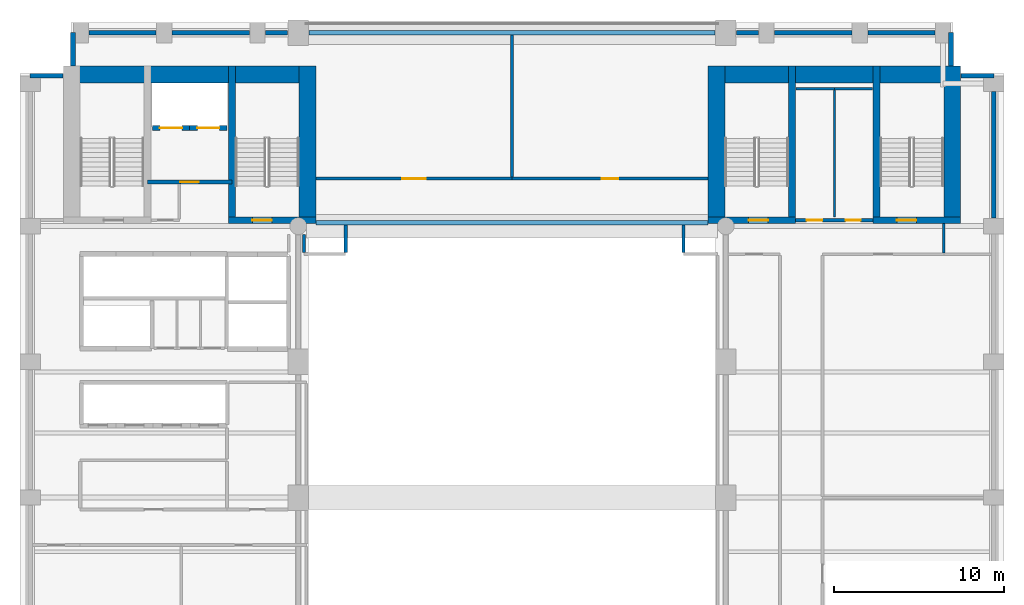
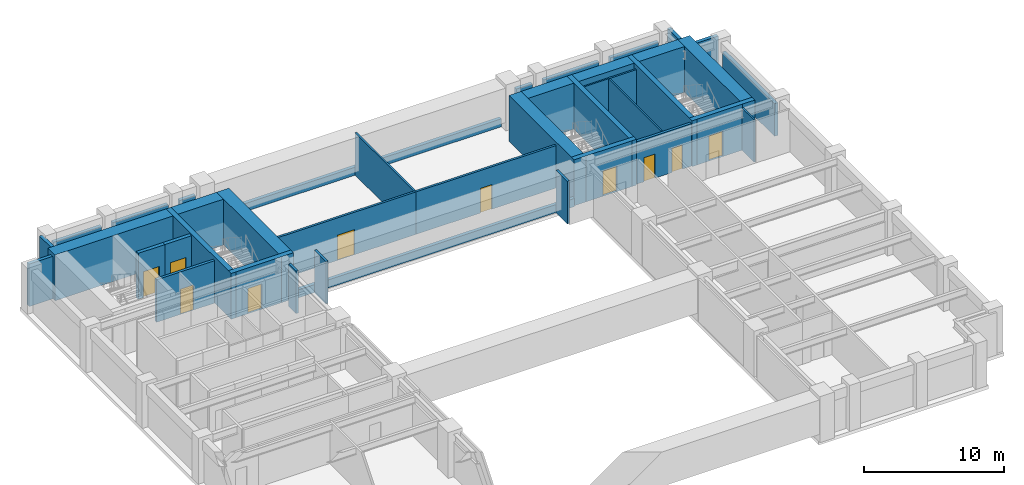
# One storey, part 4 of 8: 38 walls, 10 doors, 10 openings.
"""IFC4 building model written with IfcOpenShell, lengths in metres."""

import ifcopenshell
import ifcopenshell.guid

model = None  # the IFC model being written
_history = None  # IfcOwnerHistory: only IFC2X3 demands one
_inside = {}  # id of a spatial element -> (the spatial element, [elements in it])
_under = {}  # id of a project, library or spatial element -> (it, [spatial elements below it])
_declared = {}  # id of a project -> (the project, [libraries it declares])
_typed = {}  # id of a type object -> (the type object, [elements of that type])
_made_of = {}  # id of a material, layer set ... -> (it, [elements and type objects made of it])


def new_model(schema):
    """Start an empty IFC model of exactly this schema.

    Asked for "IFC4X3", IfcOpenShell would pick the latest addendum, in which some entities
    have other attributes; the version numbers below select the first issue.
    IFC2X3 requires an IfcOwnerHistory on every rooted entity: one is made here for all.
    """
    global model, _history
    if schema == "IFC4X3":
        model = ifcopenshell.file(schema_version=(4, 3, 0, 0))
    else:
        model = ifcopenshell.file(schema=schema)
    _inside.clear()
    _under.clear()
    _declared.clear()
    _typed.clear()
    _made_of.clear()
    _history = None
    if model.schema == "IFC2X3":
        org = make("IfcOrganization", Name="unknown")
        user = make(
            "IfcPersonAndOrganization",
            ThePerson=make("IfcPerson", FamilyName="unknown"),
            TheOrganization=org,
        )
        app = make(
            "IfcApplication",
            ApplicationDeveloper=org,
            Version="unknown",
            ApplicationFullName="unknown",
            ApplicationIdentifier="unknown",
        )
        _history = make(
            "IfcOwnerHistory",
            OwningUser=user,
            OwningApplication=app,
            ChangeAction="ADDED",
            CreationDate=0,
        )
    return model


def make(cls, **values):
    """One entity of the class cls with the attributes given. An attribute that is None is left unset."""
    return model.create_entity(
        cls, **{name: value for name, value in values.items() if value is not None}
    )


def rooted(cls, **values):
    """An entity with a GlobalId (a new one), such as an element, a storey or a relation."""
    return make(cls, GlobalId=ifcopenshell.guid.new(), OwnerHistory=_history, **values)


def si_unit(unit_type, name, prefix=None):
    """IfcSIUnit, for example si_unit("LENGTHUNIT", "METRE", prefix="MILLI")."""
    return make("IfcSIUnit", UnitType=unit_type, Prefix=prefix, Name=name)


def assignment(units):
    """IfcUnitAssignment: the units of a project."""
    return None if units is None else make("IfcUnitAssignment", Units=units)


def point(xyz):
    """IfcCartesianPoint."""
    return None if xyz is None else make("IfcCartesianPoint", Coordinates=xyz)


def direction(xyz):
    """IfcDirection."""
    return None if xyz is None else make("IfcDirection", DirectionRatios=xyz)


def frame(location, z_axis=None, x_axis=None):
    """IfcAxis2Placement3D, a coordinate frame: its origin and axes. An axis left out is left unset."""
    return make(
        "IfcAxis2Placement3D",
        Location=point(location),
        Axis=direction(z_axis),
        RefDirection=direction(x_axis),
    )


def frame_2d(location, x_axis=None):
    """IfcAxis2Placement2D, a coordinate frame in the plane: its origin and x axis."""
    return make(
        "IfcAxis2Placement2D", Location=point(location), RefDirection=direction(x_axis)
    )


def origin():
    """The frame at (0, 0, 0) with its axes left unset."""
    return frame((0.0, 0.0, 0.0))


def place(relative_to, where):
    """IfcLocalPlacement: puts the frame where relative to a parent placement (None: the world)."""
    return make(
        "IfcLocalPlacement", PlacementRelTo=relative_to, RelativePlacement=where
    )


def context(
    kind, dimensions, precision=None, world=None, true_north=None, identifier=None
):
    """IfcGeometricRepresentationContext, for example the 3D "Model" context."""
    return make(
        "IfcGeometricRepresentationContext",
        ContextIdentifier=identifier,
        ContextType=kind,
        CoordinateSpaceDimension=dimensions,
        Precision=precision,
        WorldCoordinateSystem=world,
        TrueNorth=true_north,
    )


def subcontext(parent, identifier, kind, view, scale=None):
    """IfcGeometricRepresentationSubContext, for example "Body" below "Model"."""
    return make(
        "IfcGeometricRepresentationSubContext",
        ContextIdentifier=identifier,
        ContextType=kind,
        ParentContext=parent,
        TargetScale=scale,
        TargetView=view,
    )


def project(units=None, contexts=None):
    """IfcProject with its units and contexts."""
    return rooted(
        "IfcProject",
        Name="project",
        RepresentationContexts=contexts,
        UnitsInContext=assignment(units),
    )


def spatial(cls, under=None, at=None, **own):
    """A site, building, storey or space (cls), placed at a placement, below another one or the project."""
    s = rooted(cls, ObjectPlacement=at, **own)
    if under is not None:
        _under.setdefault(under.id(), (under, []))[1].append(s)
    return s


def profile(cls, at=None, kind="AREA", **sizes):
    """A parametric profile (cls). Its sizes go by their IFC names, for example OverallWidth=200.0."""
    return make(cls, ProfileType=kind, Position=at, **sizes)


def rectangle(**sizes):
    """IfcRectangleProfileDef."""
    return profile("IfcRectangleProfileDef", **sizes)


def extrude(swept, where, along, depth):
    """IfcExtrudedAreaSolid: the profile swept, set in the frame where, extruded along a direction by depth."""
    return make(
        "IfcExtrudedAreaSolid",
        SweptArea=swept,
        Position=where,
        ExtrudedDirection=direction(along),
        Depth=depth,
    )


def shape(context_of_items, identifier, shape_type, items):
    """IfcShapeRepresentation: the items that make up one representation, for example the "Body"."""
    return make(
        "IfcShapeRepresentation",
        ContextOfItems=context_of_items,
        RepresentationIdentifier=identifier,
        RepresentationType=shape_type,
        Items=items,
    )


def material(Name=None, Category=None):
    """IfcMaterial."""
    return make("IfcMaterial", Name=Name, Category=Category)


def layer(
    of_material, thickness, ventilated=None, Name=None, Category=None, Priority=None
):
    """IfcMaterialLayer: one layer of a wall or slab, of a material (None: an air gap)."""
    return make(
        "IfcMaterialLayer",
        Material=of_material,
        LayerThickness=thickness,
        IsVentilated=ventilated,
        Name=Name,
        Category=Category,
        Priority=Priority,
    )


def layer_set(layers, Name=None):
    """IfcMaterialLayerSet."""
    return make("IfcMaterialLayerSet", MaterialLayers=layers, LayerSetName=Name)


def made_of(thing, what):
    """Note that an element or type object is made of a material, layer set ...; save() writes the relation."""
    if what is not None:
        _made_of.setdefault(what.id(), (what, []))[1].append(thing)
    return thing


def type_object(cls, material=None, **own):
    """A type object (cls), such as IfcWallType, which elements share."""
    return made_of(rooted(cls, **own), material)


def element(
    cls,
    number,
    at=None,
    inside=None,
    cuts=None,
    type_object=None,
    material=None,
    context=None,
    identifier="Body",
    shape_type=None,
    held_by="IfcProductDefinitionShape",
    body=None,
    shapes=None,
    **own,
):
    """One element of the class cls, such as IfcWall. Its Tag is "e" and its number.

    at: its placement. inside: the storey or other place that contains it. cuts: it is an
    opening in that element (IfcRelVoidsElement). A single representation is given by context,
    identifier, shape_type and body (its items); several are given by shapes. held_by: the class
    of the entity that holds the representations. save() writes the other relations.
    """
    e = rooted(cls, Tag="e%d" % number, ObjectPlacement=at, **own)
    if body is not None:
        shapes = [shape(context, identifier, shape_type, body)]
    if shapes is not None:
        e.Representation = make(held_by, Representations=shapes)
    if inside is not None:
        _inside.setdefault(inside.id(), (inside, []))[1].append(e)
    if cuts is not None:
        rooted(
            "IfcRelVoidsElement", RelatingBuildingElement=cuts, RelatedOpeningElement=e
        )
    if type_object is not None:
        _typed.setdefault(type_object.id(), (type_object, []))[1].append(e)
    return made_of(e, material)


def fill(opening, filler):
    """IfcRelFillsElement: the door or window that sits in an opening."""
    return rooted(
        "IfcRelFillsElement",
        RelatingOpeningElement=opening,
        RelatedBuildingElement=filler,
    )


def aggregate(whole, parts):
    """IfcRelAggregates: a whole, such as a stair, and the parts it consists of."""
    return rooted("IfcRelAggregates", RelatingObject=whole, RelatedObjects=parts)


def save(model, path):
    """Write the relations noted so far, then the file.

    IfcRelAggregates (storeys below a building ...), IfcRelContainedInSpatialStructure (elements
    in a storey), IfcRelDefinesByType, IfcRelAssociatesMaterial and IfcRelDeclares: one each for
    every whole, place, type object, material and project.
    """
    for whole, parts in _under.values():
        aggregate(whole, parts)
    for where, things in _inside.values():
        rooted(
            "IfcRelContainedInSpatialStructure",
            RelatedElements=things,
            RelatingStructure=where,
        )
    for kind, things in _typed.values():
        rooted("IfcRelDefinesByType", RelatedObjects=things, RelatingType=kind)
    for what, things in _made_of.values():
        rooted("IfcRelAssociatesMaterial", RelatedObjects=things, RelatingMaterial=what)
    for by, libraries in _declared.values():
        rooted("IfcRelDeclares", RelatingContext=by, RelatedDefinitions=libraries)
    model.write(path)


model = new_model("IFC4")

# Units and contexts
model_context = context("Model", 3, precision=1e-05, world=origin(), true_north=direction((0.0, 1.0)))
body_context = subcontext(model_context, "Body", "Model", "MODEL_VIEW")
ifc_project = project(units=[si_unit("LENGTHUNIT", "METRE"), si_unit("AREAUNIT", "SQUARE_METRE"), si_unit("VOLUMEUNIT", "CUBIC_METRE"), si_unit("PLANEANGLEUNIT", "RADIAN"), si_unit("MASSUNIT", "GRAM", prefix="KILO")], contexts=[model_context])

# Site, building, storey
site_placement = place(None, origin())
site = spatial("IfcSite", under=ifc_project, at=site_placement, CompositionType="ELEMENT")
building_placement = place(site_placement, origin())
building = spatial("IfcBuilding", under=site, at=building_placement, Name="Sulina Concourse Tower", CompositionType="ELEMENT")
storey_placement = place(building_placement, frame((0.0, 0.0, 42.60009765625)))
storey = spatial("IfcBuildingStorey", under=building, at=storey_placement, Name="L10", CompositionType="ELEMENT", Elevation=42.60009765625)

# Wall, opening, door
ifc_material_1 = material(Name="Concrete C50/60", Category="concrete")
ifc_layer_1 = layer(ifc_material_1, 0.300048828125)
ifc_layer_set_1 = layer_set([ifc_layer_1], Name="Concrete C50/60")
wall_type_1 = type_object("IfcWallType", Name="Core Lift Hoistway Wall 300mm", PredefinedType="SOLIDWALL", material=ifc_layer_set_1)
wall_1_placement = place(storey_placement, frame((10.0, 39.780029296875, 0.0), z_axis=(0.0, 0.0, 1.0), x_axis=(-1.0, 0.0, 0.0)))
wall_1 = element("IfcWall", 1, at=wall_1_placement, inside=storey, type_object=wall_type_1, Name="L10 hoistway enclosure wall FFL-1", PredefinedType="SOLIDWALL", context=body_context, shape_type="SweptSolid", body=[
    extrude(rectangle(XDim=2.199951171875, YDim=0.300048828125, at=frame_2d((1.10009765625, 0.0))), origin(), (0.0, 0.0, 1.0), 4.0),
])
opening_1_placement = place(wall_1_placement, frame((0.449951171875, 0.0, 0.0)))
opening_1 = element("IfcOpeningElement", 2, at=opening_1_placement, cuts=wall_1, Name="Opening LD-02", PredefinedType="OPENING", context=body_context, shape_type="SweptSolid", body=[
    extrude(rectangle(XDim=1.300048828125, YDim=2.25, at=frame_2d((0.64990234375, 1.125))), frame((0.0, 0.159912109375, 0.0), z_axis=(0.0, -1.0, 0.0), x_axis=(1.0, 0.0, 0.0)), (0.0, 0.0, 1.0), 0.320068359375),
])
ifc_material_2 = material(Name="Stainless steel lift landing door", Category="steel")
ifc_layer_2 = layer(ifc_material_2, 0.050048828125)
ifc_layer_set_2 = layer_set([ifc_layer_2], Name="Stainless steel lift landing door")
door_type_1 = type_object("IfcDoorType", Name="Firefighting Lift Sliding Landing Door 1300x2250", OperationType="SLIDING_TO_RIGHT", PredefinedType="DOOR", material=ifc_layer_set_2)
door_1_placement = place(opening_1_placement, origin())
door_1 = element("IfcDoor", 3, at=door_1_placement, inside=storey, type_object=door_type_1, Name="L10 lift landing sliding door FFL-1", OperationType="SLIDING_TO_LEFT", OverallHeight=2.25, OverallWidth=1.300048828125, PredefinedType="DOOR", context=body_context, shape_type="SweptSolid", body=[
    extrude(rectangle(XDim=1.300048828125, YDim=2.25, at=frame_2d((0.64990234375, 1.125))), frame((0.0, 0.02490234375, 0.0), z_axis=(0.0, -1.0, 0.0), x_axis=(1.0, 0.0, 0.0)), (0.0, 0.0, 1.0), 0.050048828125),
])
fill(opening_1, door_1)

wall_2_placement = place(storey_placement, frame((12.199951171875, 39.780029296875, 0.0), z_axis=(0.0, 0.0, 1.0), x_axis=(-1.0, 0.0, 0.0)))
wall_2 = element("IfcWall", 4, at=wall_2_placement, inside=storey, type_object=wall_type_1, Name="L10 hoistway enclosure wall FFL-2", PredefinedType="SOLIDWALL", context=body_context, shape_type="SweptSolid", body=[
    extrude(rectangle(XDim=2.199951171875, YDim=0.300048828125, at=frame_2d((1.10009765625, 0.0))), origin(), (0.0, 0.0, 1.0), 4.0),
])
opening_2_placement = place(wall_2_placement, frame((0.449951171875, 0.0, 0.0)))
opening_2 = element("IfcOpeningElement", 5, at=opening_2_placement, cuts=wall_2, Name="Opening LD-02", PredefinedType="OPENING", context=body_context, shape_type="SweptSolid", body=[
    extrude(rectangle(XDim=1.300048828125, YDim=2.25, at=frame_2d((0.64990234375, 1.125))), frame((0.0, 0.159912109375, 0.0), z_axis=(0.0, -1.0, 0.0), x_axis=(1.0, 0.0, 0.0)), (0.0, 0.0, 1.0), 0.320068359375),
])
door_2_placement = place(opening_2_placement, origin())
door_2 = element("IfcDoor", 6, at=door_2_placement, inside=storey, type_object=door_type_1, Name="L10 lift landing sliding door FFL-2", OperationType="SLIDING_TO_RIGHT", OverallHeight=2.25, OverallWidth=1.300048828125, PredefinedType="DOOR", context=body_context, shape_type="SweptSolid", body=[
    extrude(rectangle(XDim=1.300048828125, YDim=2.25, at=frame_2d((0.64990234375, 1.125))), frame((0.0, 0.02490234375, 0.0), z_axis=(0.0, -1.0, 0.0), x_axis=(1.0, 0.0, 0.0)), (0.0, 0.0, 1.0), 0.050048828125),
])
fill(opening_2, door_2)

ifc_material_3 = material(Name="Gypsum board on steel stud", Category="steel")
ifc_layer_3 = layer(ifc_material_3, 0.219970703125)
ifc_layer_set_3 = layer_set([ifc_layer_3], Name="Gypsum board on steel stud")
wall_type_2 = type_object("IfcWallType", Name="Fire-Rated Lobby & Compartment Wall 220mm", PredefinedType="PARTITIONING", material=ifc_layer_set_3)
wall_3_placement = place(storey_placement, frame((7.510009765625, 36.60009765625, 0.0), z_axis=(0.0, 0.0, 1.0), x_axis=(1.0, 0.0, 0.0)))
wall_3 = element("IfcWall", 7, at=wall_3_placement, inside=storey, type_object=wall_type_2, Name="L10 firefighting lobby south fire wall", PredefinedType="PARTITIONING", context=body_context, shape_type="SweptSolid", body=[
    extrude(rectangle(XDim=4.97998046875, YDim=0.219970703125, at=frame_2d((2.489990234375, 0.0))), origin(), (0.0, 0.0, 1.0), 3.699951171875),
])
opening_3_placement = place(wall_3_placement, frame((1.93994140625, 0.0, 0.0)))
opening_3 = element("IfcOpeningElement", 8, at=opening_3_placement, cuts=wall_3, Name="Opening DR-47", PredefinedType="OPENING", context=body_context, shape_type="SweptSolid", body=[
    extrude(rectangle(XDim=1.10009765625, YDim=2.199951171875, at=frame_2d((0.550048828125, 1.10009765625))), frame((0.0, 0.119873046875, 0.0), z_axis=(0.0, -1.0, 0.0), x_axis=(1.0, 0.0, 0.0)), (0.0, 0.0, 1.0), 0.239990234375),
])
ifc_material_4 = material(Name="Galvanised steel acoustic fire leaf", Category="steel")
ifc_layer_4 = layer(ifc_material_4, 0.054931640625)
ifc_layer_set_4 = layer_set([ifc_layer_4], Name="Galvanised steel acoustic fire leaf")
door_type_2 = type_object("IfcDoorType", Name="Firefighting Lobby Fire Door 1100x2200", OperationType="NOTDEFINED", PredefinedType="DOOR", material=ifc_layer_set_4)
door_3_placement = place(opening_3_placement, origin())
door_3 = element("IfcDoor", 9, at=door_3_placement, inside=storey, type_object=door_type_2, Name="L10 firefighting lobby fire door", OperationType="SINGLE_SWING_LEFT", OverallHeight=2.199951171875, OverallWidth=1.10009765625, PredefinedType="DOOR", context=body_context, shape_type="SweptSolid", body=[
    extrude(rectangle(XDim=1.10009765625, YDim=2.199951171875, at=frame_2d((0.550048828125, 1.10009765625))), frame((0.0, 0.02490234375, 0.0), z_axis=(0.0, -1.0, 0.0), x_axis=(1.0, 0.0, 0.0)), (0.0, 0.0, 1.0), 0.050048828125),
])
fill(opening_3, door_3)

# Wall, openings, doors
wall_4_placement = place(storey_placement, frame((45.719970703125, 34.35009765625, 0.0), z_axis=(0.0, 0.0, 1.0), x_axis=(1.0, 0.0, 0.0)))
wall_4 = element("IfcWall", 10, at=wall_4_placement, inside=storey, type_object=wall_type_2, Name="L10 east core south lobby wall", PredefinedType="PARTITIONING", context=body_context, shape_type="SweptSolid", body=[
    extrude(rectangle(XDim=4.56005859375, YDim=0.219970703125, at=frame_2d((2.280029296875, 0.0))), origin(), (0.0, 0.0, 1.0), 3.699951171875),
])
opening_4_placement = place(wall_4_placement, frame((0.64990234375, 0.0, 0.0)))
opening_4 = element("IfcOpeningElement", 11, at=opening_4_placement, cuts=wall_4, Name="Opening DR-61", PredefinedType="OPENING", context=body_context, shape_type="SweptSolid", body=[
    extrude(rectangle(XDim=0.919921875, YDim=2.10009765625, at=frame_2d((0.4599609375, 1.050048828125))), frame((0.0, 0.119873046875, 0.0), z_axis=(0.0, -1.0, 0.0), x_axis=(1.0, 0.0, 0.0)), (0.0, 0.0, 1.0), 0.239990234375),
])
opening_5_placement = place(wall_4_placement, frame((2.949951171875, 0.0, 0.0)))
opening_5 = element("IfcOpeningElement", 12, at=opening_5_placement, cuts=wall_4, Name="Opening DR-38", PredefinedType="OPENING", context=body_context, shape_type="SweptSolid", body=[
    extrude(rectangle(XDim=0.8798828125, YDim=2.10009765625, at=frame_2d((0.43994140625, 1.050048828125))), frame((0.0, 0.119873046875, 0.0), z_axis=(0.0, -1.0, 0.0), x_axis=(1.0, 0.0, 0.0)), (0.0, 0.0, 1.0), 0.239990234375),
])
ifc_material_5 = material(Name="Oak-veneered fire door leaf")
ifc_layer_5 = layer(ifc_material_5, 0.050048828125)
ifc_layer_set_5 = layer_set([ifc_layer_5], Name="Oak-veneered fire door leaf")
door_type_3 = type_object("IfcDoorType", Name="Accessible WC Door 920x2100", OperationType="NOTDEFINED", PredefinedType="DOOR", material=ifc_layer_set_5)
door_4_placement = place(opening_4_placement, origin())
door_4 = element("IfcDoor", 13, at=door_4_placement, inside=storey, type_object=door_type_3, Name="L10 east core accessible wc door", OperationType="SINGLE_SWING_LEFT", OverallHeight=2.10009765625, OverallWidth=0.919921875, PredefinedType="DOOR", context=body_context, shape_type="SweptSolid", body=[
    extrude(rectangle(XDim=0.919921875, YDim=2.10009765625, at=frame_2d((0.4599609375, 1.050048828125))), frame((0.0, 0.02490234375, 0.0), z_axis=(0.0, -1.0, 0.0), x_axis=(1.0, 0.0, 0.0)), (0.0, 0.0, 1.0), 0.050048828125),
])
fill(opening_4, door_4)
ifc_material_6 = material(Name="Galvanised steel acoustic fire leaf", Category="steel")
ifc_layer_6 = layer(ifc_material_6, 0.050048828125)
ifc_layer_set_6 = layer_set([ifc_layer_6], Name="Galvanised steel acoustic fire leaf")
door_type_4 = type_object("IfcDoorType", Name="Service Riser Fire Door 880x2100", OperationType="NOTDEFINED", PredefinedType="DOOR", material=ifc_layer_set_6)
door_5_placement = place(opening_5_placement, origin())
door_5 = element("IfcDoor", 14, at=door_5_placement, inside=storey, type_object=door_type_4, Name="L10 east core store door", OperationType="SINGLE_SWING_RIGHT", OverallHeight=2.10009765625, OverallWidth=0.8798828125, PredefinedType="DOOR", context=body_context, shape_type="SweptSolid", body=[
    extrude(rectangle(XDim=0.8798828125, YDim=2.10009765625, at=frame_2d((0.43994140625, 1.050048828125))), frame((0.0, 0.02490234375, 0.0), z_axis=(0.0, -1.0, 0.0), x_axis=(1.0, 0.0, 0.0)), (0.0, 0.0, 1.0), 0.050048828125),
])
fill(opening_5, door_5)

# Walls
ifc_material_7 = material(Name="Gypsum board on steel stud", Category="steel")
ifc_layer_7 = layer(ifc_material_7, 0.14990234375)
ifc_layer_set_7 = layer_set([ifc_layer_7], Name="Gypsum board on steel stud")
wall_type_3 = type_object("IfcWallType", Name="Inter-Tenancy Acoustic Partition 150mm", PredefinedType="PARTITIONING", material=ifc_layer_set_7)
wall_5_placement = place(storey_placement, frame((48.0, 42.10009765625, 0.0), z_axis=(0.0, 0.0, 1.0), x_axis=(1.0, 0.0, 0.0)))
element("IfcWall", 15, at=wall_5_placement, inside=storey, type_object=wall_type_3, Name="L10 interior partition 025", PredefinedType="PARTITIONING", context=body_context, shape_type="SweptSolid", body=[
    extrude(rectangle(XDim=2.25, YDim=0.14990234375, at=frame_2d((1.125, 0.0))), origin(), (0.0, 0.0, 1.0), 3.699951171875),
])
wall_6_placement = place(storey_placement, frame((29.0, 36.889892578125, 0.0), z_axis=(0.0, 0.0, 1.0), x_axis=(0.0, 1.0, 0.0)))
element("IfcWall", 16, at=wall_6_placement, inside=storey, type_object=wall_type_3, Name="L10 interior partition 040", PredefinedType="PARTITIONING", context=body_context, shape_type="SweptSolid", body=[
    extrude(rectangle(XDim=8.3701171875, YDim=0.14990234375, at=frame_2d((4.18505859375, 0.0))), origin(), (0.0, 0.0, 1.0), 3.699951171875),
])
wall_7_placement = place(storey_placement, frame((54.449951171875, 32.425048828125, 0.0), z_axis=(0.0, 0.0, 1.0), x_axis=(0.0, 1.0, 0.0)))
element("IfcWall", 17, at=wall_7_placement, inside=storey, type_object=wall_type_3, Name="L10 interior partition 051", PredefinedType="PARTITIONING", context=body_context, shape_type="SweptSolid", body=[
    extrude(rectangle(XDim=1.724853515625, YDim=0.14990234375, at=frame_2d((0.8623046875, 0.0))), origin(), (0.0, 0.0, 1.0), 3.699951171875),
])

# Wall, opening, door
ifc_material_8 = material(Name="Gypsum board on steel stud", Category="steel")
ifc_layer_8 = layer(ifc_material_8, 0.179931640625)
ifc_layer_set_8 = layer_set([ifc_layer_8], Name="Gypsum board on steel stud")
wall_type_4 = type_object("IfcWallType", Name="Protected Corridor & Riser Partition 180mm", PredefinedType="PARTITIONING", material=ifc_layer_set_8)
wall_8_placement = place(storey_placement, frame((17.449951171875, 36.800048828125, 0.0), z_axis=(0.0, 0.0, 1.0), x_axis=(1.0, 0.0, 0.0)))
wall_8 = element("IfcWall", 18, at=wall_8_placement, inside=storey, type_object=wall_type_4, Name="L10 interior partition 022", PredefinedType="PARTITIONING", context=body_context, shape_type="SweptSolid", body=[
    extrude(rectangle(XDim=11.550048828125, YDim=0.179931640625, at=frame_2d((5.77490234375, 0.0))), origin(), (0.0, 0.0, 1.0), 3.699951171875),
])
opening_6_placement = place(wall_8_placement, frame((5.074951171875, 0.0, 0.0)))
opening_6 = element("IfcOpeningElement", 19, at=opening_6_placement, cuts=wall_8, Name="Opening DR-57", PredefinedType="OPENING", context=body_context, shape_type="SweptSolid", body=[
    extrude(rectangle(XDim=1.39990234375, YDim=2.199951171875, at=frame_2d((0.699951171875, 1.10009765625))), frame((0.0, 0.099853515625, 0.0), z_axis=(0.0, -1.0, 0.0), x_axis=(1.0, 0.0, 0.0)), (0.0, 0.0, 1.0), 0.199951171875),
])
ifc_material_9 = material(Name="Oak-veneered fire door leaf")
ifc_layer_9 = layer(ifc_material_9, 0.054931640625)
ifc_layer_set_9 = layer_set([ifc_layer_9], Name="Oak-veneered fire door leaf")
door_type_5 = type_object("IfcDoorType", Name="Core Lift Lobby Double Fire Door 1400x2200", OperationType="DOUBLE_DOOR_SINGLE_SWING", PredefinedType="DOOR", material=ifc_layer_set_9)
door_6_placement = place(opening_6_placement, origin())
door_6 = element("IfcDoor", 20, at=door_6_placement, inside=storey, type_object=door_type_5, Name="L10 interior door L10-GAL-N1", OperationType="DOUBLE_DOOR_SINGLE_SWING", OverallHeight=2.199951171875, OverallWidth=1.39990234375, PredefinedType="DOOR", context=body_context, shape_type="SweptSolid", body=[
    extrude(rectangle(XDim=1.39990234375, YDim=2.199951171875, at=frame_2d((0.699951171875, 1.10009765625))), frame((0.0, 0.02490234375, 0.0), z_axis=(0.0, -1.0, 0.0), x_axis=(1.0, 0.0, 0.0)), (0.0, 0.0, 1.0), 0.050048828125),
])
fill(opening_6, door_6)

wall_9_placement = place(storey_placement, frame((29.0, 36.800048828125, 0.0), z_axis=(0.0, 0.0, 1.0), x_axis=(1.0, 0.0, 0.0)))
wall_9 = element("IfcWall", 21, at=wall_9_placement, inside=storey, type_object=wall_type_4, Name="L10 interior partition 023", PredefinedType="PARTITIONING", context=body_context, shape_type="SweptSolid", body=[
    extrude(rectangle(XDim=11.550048828125, YDim=0.179931640625, at=frame_2d((5.77490234375, 0.0))), origin(), (0.0, 0.0, 1.0), 3.699951171875),
])
opening_7_placement = place(wall_9_placement, frame((5.300048828125, 0.0, 0.0)))
opening_7 = element("IfcOpeningElement", 22, at=opening_7_placement, cuts=wall_9, Name="Opening DR-19", PredefinedType="OPENING", context=body_context, shape_type="SweptSolid", body=[
    extrude(rectangle(XDim=0.949951171875, YDim=2.14990234375, at=frame_2d((0.47509765625, 1.074951171875))), frame((0.0, 0.099853515625, 0.0), z_axis=(0.0, -1.0, 0.0), x_axis=(1.0, 0.0, 0.0)), (0.0, 0.0, 1.0), 0.199951171875),
])
ifc_material_10 = material(Name="Oak-veneered acoustic timber leaf", Category="wood")
ifc_layer_10 = layer(ifc_material_10, 0.050048828125)
ifc_layer_set_10 = layer_set([ifc_layer_10], Name="Oak-veneered acoustic timber leaf")
door_type_6 = type_object("IfcDoorType", Name="Cellular Office & Meeting Door 950x2150", OperationType="NOTDEFINED", PredefinedType="DOOR", material=ifc_layer_set_10)
door_7_placement = place(opening_7_placement, origin())
door_7 = element("IfcDoor", 23, at=door_7_placement, inside=storey, type_object=door_type_6, Name="L10 interior door L10-GAL-N2", OperationType="SINGLE_SWING_LEFT", OverallHeight=2.14990234375, OverallWidth=0.949951171875, PredefinedType="DOOR", context=body_context, shape_type="SweptSolid", body=[
    extrude(rectangle(XDim=0.949951171875, YDim=2.14990234375, at=frame_2d((0.47509765625, 1.074951171875))), frame((0.0, 0.02490234375, 0.0), z_axis=(0.0, -1.0, 0.0), x_axis=(1.0, 0.0, 0.0)), (0.0, 0.0, 1.0), 0.050048828125),
])
fill(opening_7, door_7)

# Walls
wall_10_placement = place(storey_placement, frame((16.75, 32.43994140625, 0.0), z_axis=(0.0, 0.0, 1.0), x_axis=(0.0, 1.0, 0.0)))
element("IfcWall", 24, at=wall_10_placement, inside=storey, type_object=wall_type_4, Name="L10 interior partition 034", PredefinedType="PARTITIONING", context=body_context, shape_type="SweptSolid", body=[
    extrude(rectangle(XDim=1.06005859375, YDim=0.179931640625, at=frame_2d((0.530029296875, 0.0))), origin(), (0.0, 0.0, 1.0), 3.699951171875),
])
for number, where, z_axis, x_axis, name in (
    (25, (19.199951171875, 32.43994140625, 0.0), (0.0, 0.0, 1.0), (0.0, 1.0, 0.0), "L10 interior partition 039"),
    (26, (39.10009765625, 32.43994140625, 0.0), (0.0, 0.0, 1.0), (0.0, 1.0, 0.0), "L10 interior partition 041"),
):
    element("IfcWall", number, at=place(storey_placement, frame(where, z_axis=z_axis, x_axis=x_axis)), inside=storey, type_object=wall_type_4, Name=name, PredefinedType="PARTITIONING", context=body_context, shape_type="SweptSolid", body=[
        extrude(rectangle(XDim=1.6201171875, YDim=0.179931640625, at=frame_2d((0.81005859375, 0.0))), origin(), (0.0, 0.0, 1.0), 3.699951171875),
    ])

# Wall, opening, door
ifc_material_11 = material(Name="Concrete C60/75", Category="concrete")
ifc_layer_11 = layer(ifc_material_11, 0.39990234375)
ifc_layer_set_11 = layer_set([ifc_layer_11], Name="Concrete C60/75")
wall_type_5 = type_object("IfcWallType", Name="Protected Stair Core Shear Wall 400mm", PredefinedType="SHEAR", material=ifc_layer_set_11)
wall_11_placement = place(storey_placement, frame((12.2900390625, 34.35009765625, 0.0), z_axis=(0.0, 0.0, 1.0), x_axis=(1.0, 0.0, 0.0)))
wall_11 = element("IfcWall", 27, at=wall_11_placement, inside=storey, type_object=wall_type_5, Name="L10 west core shear wall CW-WS2", PredefinedType="SHEAR", context=body_context, shape_type="SweptSolid", body=[
    extrude(rectangle(XDim=5.159912109375, YDim=0.39990234375, at=frame_2d((2.580078125, 0.0))), origin(), (0.0, 0.0, 1.0), 4.0),
])
opening_8_placement = place(wall_11_placement, frame((1.39990234375, 0.0, 0.0)))
opening_8 = element("IfcOpeningElement", 28, at=opening_8_placement, cuts=wall_11, Name="Opening DR-60", PredefinedType="OPENING", context=body_context, shape_type="SweptSolid", body=[
    extrude(rectangle(XDim=1.14990234375, YDim=2.199951171875, at=frame_2d((0.574951171875, 1.10009765625))), frame((0.0, 0.2099609375, 0.0), z_axis=(0.0, -1.0, 0.0), x_axis=(1.0, 0.0, 0.0)), (0.0, 0.0, 1.0), 0.419921875),
])
ifc_material_12 = material(Name="Galvanised steel acoustic fire leaf", Category="steel")
ifc_layer_12 = layer(ifc_material_12, 0.054931640625)
ifc_layer_set_12 = layer_set([ifc_layer_12], Name="Galvanised steel acoustic fire leaf")
door_type_7 = type_object("IfcDoorType", Name="Protected Exit Stair Fire Door 1150x2200", OperationType="NOTDEFINED", PredefinedType="DOOR", material=ifc_layer_set_12)
door_8_placement = place(opening_8_placement, origin())
door_8 = element("IfcDoor", 29, at=door_8_placement, inside=storey, type_object=door_type_7, Name="L10 stair ST-2 lobby fire door", OperationType="SINGLE_SWING_RIGHT", OverallHeight=2.199951171875, OverallWidth=1.14990234375, PredefinedType="DOOR", context=body_context, shape_type="SweptSolid", body=[
    extrude(rectangle(XDim=1.14990234375, YDim=2.199951171875, at=frame_2d((0.574951171875, 1.10009765625))), frame((0.0, 0.02490234375, 0.0), z_axis=(0.0, -1.0, 0.0), x_axis=(1.0, 0.0, 0.0)), (0.0, 0.0, 1.0), 0.050048828125),
])
fill(opening_8, door_8)

# Wall
wall_12_placement = place(storey_placement, frame((12.489990234375, 34.14990234375, 0.0), z_axis=(0.0, 0.0, 1.0), x_axis=(0.0, 1.0, 0.0)))
element("IfcWall", 30, at=wall_12_placement, inside=storey, type_object=wall_type_5, Name="L10 west core shear wall SW-ST2", PredefinedType="SHEAR", context=body_context, shape_type="SweptSolid", body=[
    extrude(rectangle(XDim=9.280029296875, YDim=0.39990234375, at=frame_2d((4.64013671875, 0.0))), origin(), (0.0, 0.0, 1.0), 4.0),
])

# Wall, opening, door
wall_13_placement = place(storey_placement, frame((40.550048828125, 34.35009765625, 0.0), z_axis=(0.0, 0.0, 1.0), x_axis=(1.0, 0.0, 0.0)))
wall_13 = element("IfcWall", 31, at=wall_13_placement, inside=storey, type_object=wall_type_5, Name="L10 east core shear wall CW-ES1", PredefinedType="SHEAR", context=body_context, shape_type="SweptSolid", body=[
    extrude(rectangle(XDim=5.159912109375, YDim=0.39990234375, at=frame_2d((2.580078125, 0.0))), origin(), (0.0, 0.0, 1.0), 4.0),
])
opening_9_placement = place(wall_13_placement, frame((2.39990234375, 0.0, 0.0)))
opening_9 = element("IfcOpeningElement", 32, at=opening_9_placement, cuts=wall_13, Name="Opening DR-60", PredefinedType="OPENING", context=body_context, shape_type="SweptSolid", body=[
    extrude(rectangle(XDim=1.14990234375, YDim=2.199951171875, at=frame_2d((0.574951171875, 1.10009765625))), frame((0.0, 0.2099609375, 0.0), z_axis=(0.0, -1.0, 0.0), x_axis=(1.0, 0.0, 0.0)), (0.0, 0.0, 1.0), 0.419921875),
])
door_9_placement = place(opening_9_placement, origin())
door_9 = element("IfcDoor", 33, at=door_9_placement, inside=storey, type_object=door_type_7, Name="L10 stair ST-3 south lobby fire door", OperationType="SINGLE_SWING_RIGHT", OverallHeight=2.199951171875, OverallWidth=1.14990234375, PredefinedType="DOOR", context=body_context, shape_type="SweptSolid", body=[
    extrude(rectangle(XDim=1.14990234375, YDim=2.199951171875, at=frame_2d((0.574951171875, 1.10009765625))), frame((0.0, 0.02490234375, 0.0), z_axis=(0.0, -1.0, 0.0), x_axis=(1.0, 0.0, 0.0)), (0.0, 0.0, 1.0), 0.050048828125),
])
fill(opening_9, door_9)

# Wall
wall_14_placement = place(storey_placement, frame((45.510009765625, 34.14990234375, 0.0), z_axis=(0.0, 0.0, 1.0), x_axis=(0.0, 1.0, 0.0)))
element("IfcWall", 34, at=wall_14_placement, inside=storey, type_object=wall_type_5, Name="L10 east core shear wall SW-ST3", PredefinedType="SHEAR", context=body_context, shape_type="SweptSolid", body=[
    extrude(rectangle(XDim=9.280029296875, YDim=0.39990234375, at=frame_2d((4.64013671875, 0.0))), origin(), (0.0, 0.0, 1.0), 4.0),
])

# Wall, opening, door
wall_15_placement = place(storey_placement, frame((50.2900390625, 34.35009765625, 0.0), z_axis=(0.0, 0.0, 1.0), x_axis=(1.0, 0.0, 0.0)))
wall_15 = element("IfcWall", 35, at=wall_15_placement, inside=storey, type_object=wall_type_5, Name="L10 east core shear wall CW-ES2", PredefinedType="SHEAR", context=body_context, shape_type="SweptSolid", body=[
    extrude(rectangle(XDim=5.159912109375, YDim=0.39990234375, at=frame_2d((2.580078125, 0.0))), origin(), (0.0, 0.0, 1.0), 4.0),
])
opening_10_placement = place(wall_15_placement, frame((1.39990234375, 0.0, 0.0)))
opening_10 = element("IfcOpeningElement", 36, at=opening_10_placement, cuts=wall_15, Name="Opening DR-60", PredefinedType="OPENING", context=body_context, shape_type="SweptSolid", body=[
    extrude(rectangle(XDim=1.14990234375, YDim=2.199951171875, at=frame_2d((0.574951171875, 1.10009765625))), frame((0.0, 0.2099609375, 0.0), z_axis=(0.0, -1.0, 0.0), x_axis=(1.0, 0.0, 0.0)), (0.0, 0.0, 1.0), 0.419921875),
])
door_10_placement = place(opening_10_placement, origin())
door_10 = element("IfcDoor", 37, at=door_10_placement, inside=storey, type_object=door_type_7, Name="L10 stair ST-4 south lobby fire door", OperationType="SINGLE_SWING_LEFT", OverallHeight=2.199951171875, OverallWidth=1.14990234375, PredefinedType="DOOR", context=body_context, shape_type="SweptSolid", body=[
    extrude(rectangle(XDim=1.14990234375, YDim=2.199951171875, at=frame_2d((0.574951171875, 1.10009765625))), frame((0.0, 0.02490234375, 0.0), z_axis=(0.0, -1.0, 0.0), x_axis=(1.0, 0.0, 0.0)), (0.0, 0.0, 1.0), 0.050048828125),
])
fill(opening_10, door_10)

# Walls
wall_16_placement = place(storey_placement, frame((50.489990234375, 34.14990234375, 0.0), z_axis=(0.0, 0.0, 1.0), x_axis=(0.0, 1.0, 0.0)))
element("IfcWall", 38, at=wall_16_placement, inside=storey, type_object=wall_type_5, Name="L10 east core shear wall SW-ST4", PredefinedType="SHEAR", context=body_context, shape_type="SweptSolid", body=[
    extrude(rectangle(XDim=9.280029296875, YDim=0.39990234375, at=frame_2d((4.64013671875, 0.0))), origin(), (0.0, 0.0, 1.0), 4.0),
])
ifc_material_13 = material(Name="Concrete C80/95", Category="concrete")
ifc_layer_13 = layer(ifc_material_13, 1.0)
ifc_layer_set_13 = layer_set([ifc_layer_13], Name="Concrete C80/95")
wall_type_6 = type_object("IfcWallType", Name="Rear Core Shear Wall 1000mm", PredefinedType="SHEAR", material=ifc_layer_set_13)
wall_17_placement = place(storey_placement, frame((2.550048828125, 42.929931640625, 0.0), z_axis=(0.0, 0.0, 1.0), x_axis=(1.0, 0.0, 0.0)))
element("IfcWall", 39, at=wall_17_placement, inside=storey, type_object=wall_type_6, Name="L10 west core shear wall CW-WN", PredefinedType="SHEAR", context=body_context, shape_type="SweptSolid", body=[
    extrude(rectangle(XDim=14.89990234375, YDim=1.0, at=frame_2d((7.449951171875, 0.0))), origin(), (0.0, 0.0, 1.0), 4.0),
])
wall_18_placement = place(storey_placement, frame((16.949951171875, 34.14990234375, 0.0), z_axis=(0.0, 0.0, 1.0), x_axis=(0.0, 1.0, 0.0)))
element("IfcWall", 40, at=wall_18_placement, inside=storey, type_object=wall_type_6, Name="L10 west core shear wall CW-WE", PredefinedType="SHEAR", context=body_context, shape_type="SweptSolid", body=[
    extrude(rectangle(XDim=9.280029296875, YDim=1.0, at=frame_2d((4.64013671875, 0.0))), origin(), (0.0, 0.0, 1.0), 4.0),
])
wall_19_placement = place(storey_placement, frame((40.550048828125, 42.929931640625, 0.0), z_axis=(0.0, 0.0, 1.0), x_axis=(1.0, 0.0, 0.0)))
element("IfcWall", 41, at=wall_19_placement, inside=storey, type_object=wall_type_6, Name="L10 east core shear wall CW-EN", PredefinedType="SHEAR", context=body_context, shape_type="SweptSolid", body=[
    extrude(rectangle(XDim=14.89990234375, YDim=1.0, at=frame_2d((7.449951171875, 0.0))), origin(), (0.0, 0.0, 1.0), 4.0),
])
for number, where, z_axis, x_axis, name in (
    (42, (41.050048828125, 34.14990234375, 0.0), (0.0, 0.0, 1.0), (0.0, 1.0, 0.0), "L10 east core shear wall CW-EW"),
    (43, (54.949951171875, 34.14990234375, 0.0), (0.0, 0.0, 1.0), (0.0, 1.0, 0.0), "L10 east core shear wall CW-EE"),
):
    element("IfcWall", number, at=place(storey_placement, frame(where, z_axis=z_axis, x_axis=x_axis)), inside=storey, type_object=wall_type_6, Name=name, PredefinedType="SHEAR", context=body_context, shape_type="SweptSolid", body=[
        extrude(rectangle(XDim=9.280029296875, YDim=1.0, at=frame_2d((4.64013671875, 0.0))), origin(), (0.0, 0.0, 1.0), 4.0),
    ])
ifc_material_14 = material(Name="Precast concrete C50/60", Category="concrete")
ifc_layer_14 = layer(ifc_material_14, 0.280029296875)
ifc_layer_set_14 = layer_set([ifc_layer_14], Name="Precast concrete C50/60")
wall_type_7 = type_object("IfcWallType", Name="Typical Precast Masonry-Frame Facade Wall 280mm", PredefinedType="SOLIDWALL", material=ifc_layer_set_14)
wall_20_placement = place(storey_placement, frame((4.070068359375, 45.39990234375, 0.0), z_axis=(0.0, 0.0, 1.0), x_axis=(1.0, 0.0, 0.0)))
element("IfcWall", 44, at=wall_20_placement, inside=storey, type_object=wall_type_7, Name="L10 exterior precast wall N1", PredefinedType="SOLIDWALL", context=body_context, shape_type="SweptSolid", body=[
    extrude(rectangle(XDim=3.9599609375, YDim=0.280029296875, at=frame_2d((1.97998046875, 0.0))), origin(), (0.0, 0.0, 1.0), 2.849853515625),
])
wall_21_placement = place(storey_placement, frame((8.969970703125, 45.39990234375, 0.0), z_axis=(0.0, 0.0, 1.0), x_axis=(1.0, 0.0, 0.0)))
element("IfcWall", 45, at=wall_21_placement, inside=storey, type_object=wall_type_7, Name="L10 exterior precast wall N2", PredefinedType="SOLIDWALL", context=body_context, shape_type="SweptSolid", body=[
    extrude(rectangle(XDim=4.56005859375, YDim=0.280029296875, at=frame_2d((2.280029296875, 0.0))), origin(), (0.0, 0.0, 1.0), 2.849853515625),
])
wall_22_placement = place(storey_placement, frame((14.469970703125, 45.39990234375, 0.0), z_axis=(0.0, 0.0, 1.0), x_axis=(1.0, 0.0, 0.0)))
element("IfcWall", 46, at=wall_22_placement, inside=storey, type_object=wall_type_7, Name="L10 exterior precast wall N3", PredefinedType="SOLIDWALL", context=body_context, shape_type="SweptSolid", body=[
    extrude(rectangle(XDim=1.31005859375, YDim=0.280029296875, at=frame_2d((0.655029296875, 0.0))), origin(), (0.0, 0.0, 1.0), 2.849853515625),
])
wall_23_placement = place(storey_placement, frame((17.02001953125, 45.39990234375, 0.0), z_axis=(0.0, 0.0, 1.0), x_axis=(1.0, 0.0, 0.0)))
element("IfcWall", 47, at=wall_23_placement, inside=storey, type_object=wall_type_7, Name="L10 exterior precast wall N4", PredefinedType="SOLIDWALL", context=body_context, shape_type="SweptSolid", body=[
    extrude(rectangle(XDim=23.9599609375, YDim=0.280029296875, at=frame_2d((11.97998046875, 0.0))), origin(), (0.0, 0.0, 1.0), 0.699951171875),
])
wall_24_placement = place(storey_placement, frame((42.219970703125, 45.39990234375, 0.0), z_axis=(0.0, 0.0, 1.0), x_axis=(1.0, 0.0, 0.0)))
element("IfcWall", 48, at=wall_24_placement, inside=storey, type_object=wall_type_7, Name="L10 exterior precast wall N5", PredefinedType="SOLIDWALL", context=body_context, shape_type="SweptSolid", body=[
    extrude(rectangle(XDim=1.31005859375, YDim=0.280029296875, at=frame_2d((0.655029296875, 0.0))), origin(), (0.0, 0.0, 1.0), 2.849853515625),
])
wall_25_placement = place(storey_placement, frame((44.469970703125, 45.39990234375, 0.0), z_axis=(0.0, 0.0, 1.0), x_axis=(1.0, 0.0, 0.0)))
element("IfcWall", 49, at=wall_25_placement, inside=storey, type_object=wall_type_7, Name="L10 exterior precast wall N6", PredefinedType="SOLIDWALL", context=body_context, shape_type="SweptSolid", body=[
    extrude(rectangle(XDim=4.56005859375, YDim=0.280029296875, at=frame_2d((2.280029296875, 0.0))), origin(), (0.0, 0.0, 1.0), 2.849853515625),
])
wall_26_placement = place(storey_placement, frame((49.969970703125, 45.39990234375, 0.0), z_axis=(0.0, 0.0, 1.0), x_axis=(1.0, 0.0, 0.0)))
element("IfcWall", 50, at=wall_26_placement, inside=storey, type_object=wall_type_7, Name="L10 exterior precast wall N7", PredefinedType="SOLIDWALL", context=body_context, shape_type="SweptSolid", body=[
    extrude(rectangle(XDim=3.9599609375, YDim=0.280029296875, at=frame_2d((1.97998046875, 0.0))), origin(), (0.0, 0.0, 1.0), 2.849853515625),
])
wall_27_placement = place(storey_placement, frame((57.39990234375, 41.929931640625, 0.0), z_axis=(0.0, 0.0, 1.0), x_axis=(0.0, -1.0, 0.0)))
element("IfcWall", 51, at=wall_27_placement, inside=storey, type_object=wall_type_7, Name="L10 exterior precast wall E5", PredefinedType="SOLIDWALL", context=body_context, shape_type="SweptSolid", body=[
    extrude(rectangle(XDim=7.4599609375, YDim=0.280029296875, at=frame_2d((3.72998046875, 0.0))), origin(), (0.0, 0.0, 1.0), 2.849853515625),
])
wall_28_placement = place(storey_placement, frame((0.60009765625, 42.8701171875, 0.0), z_axis=(0.0, 0.0, 1.0), x_axis=(1.0, 0.0, 0.0)))
element("IfcWall", 52, at=wall_28_placement, inside=storey, type_object=wall_type_7, Name="L10 exterior precast wall CNW1", PredefinedType="SOLIDWALL", context=body_context, shape_type="SweptSolid", body=[
    extrude(rectangle(XDim=1.94482421875, YDim=0.280029296875, at=frame_2d((0.972412109375, 0.0))), origin(), (0.0, 0.0, 1.0), 3.699951171875),
])
for number, where, z_axis, x_axis, name in (
    (53, (3.1298828125, 43.43505859375, 0.0), (0.0, 0.0, 1.0), (0.0, 1.0, 0.0), "L10 exterior precast wall CNW2"),
    (54, (54.8701171875, 45.39990234375, 0.0), (0.0, 0.0, 1.0), (0.0, -1.0, 0.0), "L10 exterior precast wall CNE1"),
):
    element("IfcWall", number, at=place(storey_placement, frame(where, z_axis=z_axis, x_axis=x_axis)), inside=storey, type_object=wall_type_7, Name=name, PredefinedType="SOLIDWALL", context=body_context, shape_type="SweptSolid", body=[
        extrude(rectangle(XDim=1.96484375, YDim=0.280029296875, at=frame_2d((0.982421875, 0.0))), origin(), (0.0, 0.0, 1.0), 3.699951171875),
    ])
wall_29_placement = place(storey_placement, frame((55.455078125, 42.8701171875, 0.0), z_axis=(0.0, 0.0, 1.0), x_axis=(1.0, 0.0, 0.0)))
element("IfcWall", 55, at=wall_29_placement, inside=storey, type_object=wall_type_7, Name="L10 exterior precast wall CNE2", PredefinedType="SOLIDWALL", context=body_context, shape_type="SweptSolid", body=[
    extrude(rectangle(XDim=1.94482421875, YDim=0.280029296875, at=frame_2d((0.972412109375, 0.0))), origin(), (0.0, 0.0, 1.0), 3.699951171875),
])
wall_30_placement = place(storey_placement, frame((40.544921875, 34.199951171875, 0.0), z_axis=(0.0, 0.0, 1.0), x_axis=(-1.0, 0.0, 0.0)))
element("IfcWall", 56, at=wall_30_placement, inside=storey, type_object=wall_type_7, Name="L10 exterior precast wall PBRG-S", PredefinedType="SOLIDWALL", context=body_context, shape_type="SweptSolid", body=[
    extrude(rectangle(XDim=23.08984375, YDim=0.280029296875, at=frame_2d((11.544921875, 0.0))), origin(), (0.0, 0.0, 1.0), 0.699951171875),
])
ifc_material_15 = material(Name="Gypsum board on steel stud", Category="steel")
ifc_layer_15 = layer(ifc_material_15, 0.125)
ifc_layer_set_15 = layer_set([ifc_layer_15], Name="Gypsum board on steel stud")
wall_type_8 = type_object("IfcWallType", Name="Wet-Area Moisture-Resistant Partition 125mm", PredefinedType="PARTITIONING", material=ifc_layer_set_15)
wall_31_placement = place(storey_placement, frame((45.75, 42.10009765625, 0.0), z_axis=(0.0, 0.0, 1.0), x_axis=(1.0, 0.0, 0.0)))
element("IfcWall", 57, at=wall_31_placement, inside=storey, type_object=wall_type_8, Name="L10 interior partition 024", PredefinedType="PARTITIONING", context=body_context, shape_type="SweptSolid", body=[
    extrude(rectangle(XDim=2.25, YDim=0.125, at=frame_2d((1.125, 0.0))), origin(), (0.0, 0.0, 1.0), 3.699951171875),
])
wall_32_placement = place(storey_placement, frame((48.0, 34.550048828125, 0.0), z_axis=(0.0, 0.0, 1.0), x_axis=(0.0, 1.0, 0.0)))
element("IfcWall", 58, at=wall_32_placement, inside=storey, type_object=wall_type_8, Name="L10 interior partition 050", PredefinedType="PARTITIONING", context=body_context, shape_type="SweptSolid", body=[
    extrude(rectangle(XDim=7.474853515625, YDim=0.125, at=frame_2d((3.7373046875, 0.0))), origin(), (0.0, 0.0, 1.0), 3.699951171875),
])

save(model, "model.ifc")
